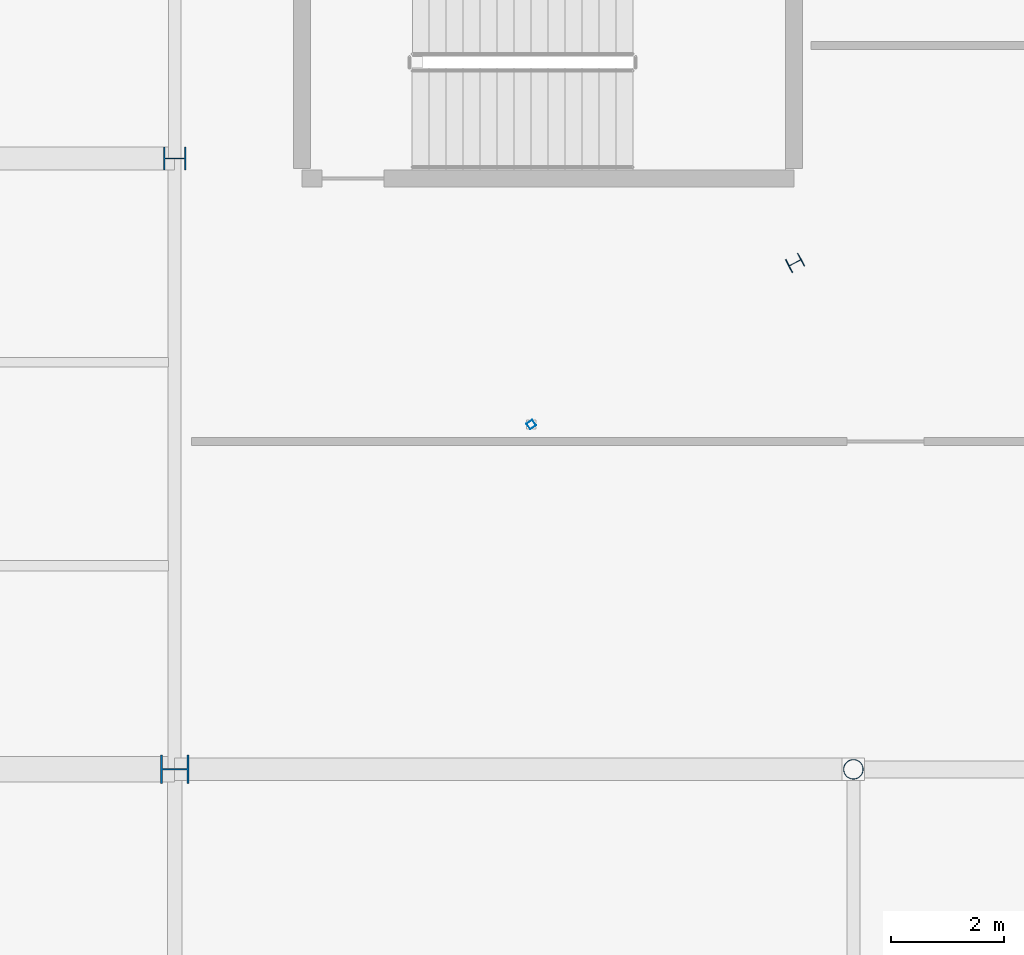
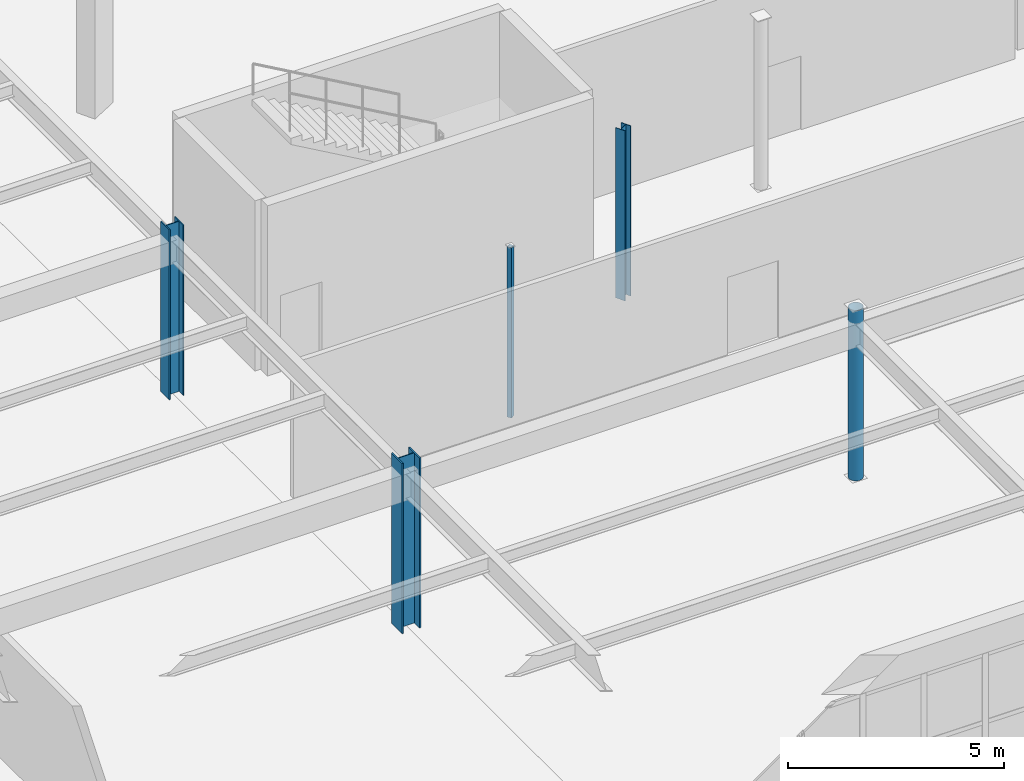
# One storey, part 30 of 199: 5 columns.
"""IFC4 building model written with IfcOpenShell, lengths in metres."""

from ifc_helpers import new_model, si_unit, direction, frame, origin, origin_2d, place, context, subcontext, project, spatial, hollow_rectangle, hollow_circle, i_section, extrude, material, material_profile, profile_set, type_object, element, save


model = new_model("IFC4")

# Units and contexts
model_context = context("Model", 3, precision=1e-05, world=origin(), true_north=direction((0.0, 1.0)))
body_context = subcontext(model_context, "Body", "Model", "MODEL_VIEW")
ifc_project = project(units=[si_unit("LENGTHUNIT", "METRE"), si_unit("AREAUNIT", "SQUARE_METRE"), si_unit("VOLUMEUNIT", "CUBIC_METRE"), si_unit("PLANEANGLEUNIT", "RADIAN"), si_unit("MASSUNIT", "GRAM", prefix="KILO")], contexts=[model_context])

# Site, building, storey
site_placement = place(None, origin())
site = spatial("IfcSite", under=ifc_project, at=site_placement, CompositionType="ELEMENT")
building_placement = place(site_placement, origin())
building = spatial("IfcBuilding", under=site, at=building_placement, Name="Tarnwether General Hospital", CompositionType="ELEMENT")
storey_placement = place(building_placement, origin())
storey = spatial("IfcBuildingStorey", under=building, at=storey_placement, Name="L00", CompositionType="ELEMENT", Elevation=0.0)

# Columns
ifc_material_1 = material(Name="Steel Grade 350 (350 MPa)", Category="steel")
ifc_material_profile_1 = material_profile(ifc_material_1, i_section(OverallWidth=0.5, OverallDepth=0.5, WebThickness=0.02197265625, FlangeThickness=0.035888671875, at=origin_2d()), Name="500WC380")
ifc_profile_set_1 = profile_set([ifc_material_profile_1], Name="Steel Grade 350 (350 MPa)")
column_type_1 = type_object("IfcColumnType", Name="COL-01", PredefinedType="COLUMN", material=ifc_profile_set_1)
column_1_placement = place(storey_placement, frame((60.0, 93.60009765625, 0.0), z_axis=(0.0, 0.0, 1.0), x_axis=(0.0, 1.0, 0.0)))
element("IfcColumn", 1, at=column_1_placement, inside=storey, type_object=column_type_1, Name="Column COLG-L00-6000_9360", PredefinedType="COLUMN", context=body_context, shape_type="SweptSolid", body=[
    extrude(i_section(OverallWidth=0.5, OverallDepth=0.5, WebThickness=0.02197265625, FlangeThickness=0.035888671875, at=origin_2d()), origin(), (0.0, 0.0, 1.0), 4.800048828125),
])
ifc_material_2 = material(Name="Steel Grade 350 (350 MPa)", Category="steel")
ifc_material_profile_2 = material_profile(ifc_material_2, i_section(OverallWidth=0.39990234375, OverallDepth=0.39990234375, WebThickness=0.02001953125, FlangeThickness=0.028076171875, at=origin_2d()), Name="400WC270")
ifc_profile_set_2 = profile_set([ifc_material_profile_2], Name="Steel Grade 350 (350 MPa)")
column_type_2 = type_object("IfcColumnType", Name="COL-02", PredefinedType="COLUMN", material=ifc_profile_set_2)
column_2_placement = place(storey_placement, frame((60.0, 104.39990234375, 0.0), z_axis=(0.0, 0.0, 1.0), x_axis=(0.0, 1.0, 0.0)))
element("IfcColumn", 2, at=column_2_placement, inside=storey, type_object=column_type_2, Name="Column COLG-L00-6000_10440", PredefinedType="COLUMN", context=body_context, shape_type="SweptSolid", body=[
    extrude(i_section(OverallWidth=0.39990234375, OverallDepth=0.39990234375, WebThickness=0.02001953125, FlangeThickness=0.028076171875, at=origin_2d()), origin(), (0.0, 0.0, 1.0), 4.800048828125),
])
ifc_material_3 = material(Name="Steel Grade C350L0 (350 MPa)", Category="steel")
ifc_material_profile_3 = material_profile(ifc_material_3, hollow_circle(Radius=0.177734375, WallThickness=0.0126953125, at=origin_2d()), Name="CHS355.6x12.7")
ifc_profile_set_3 = profile_set([ifc_material_profile_3], Name="Steel Grade C350L0 (350 MPa)")
column_type_3 = type_object("IfcColumnType", Name="COL-11", PredefinedType="COLUMN", material=ifc_profile_set_3)
column_3_placement = place(storey_placement, frame((72.0, 93.60009765625, 0.0), z_axis=(0.0, 0.0, 1.0), x_axis=(1.0, 0.0, 0.0)))
element("IfcColumn", 3, at=column_3_placement, inside=storey, type_object=column_type_3, Name="Column COLG-L00-7200_9360", PredefinedType="COLUMN", context=body_context, shape_type="SweptSolid", body=[
    extrude(hollow_circle(Radius=0.177734375, WallThickness=0.0126953125, at=origin_2d()), origin(), (0.0, 0.0, 1.0), 4.800048828125),
])
ifc_material_4 = material(Name="Steel Grade 350 (350 MPa)", Category="steel")
ifc_material_profile_4 = material_profile(ifc_material_4, i_section(OverallWidth=0.25390625, OverallDepth=0.25390625, WebThickness=0.008544921875, FlangeThickness=0.01416015625, at=origin_2d()), Name="250UC72.9")
ifc_profile_set_4 = profile_set([ifc_material_profile_4], Name="Steel Grade 350 (350 MPa)")
column_type_4 = type_object("IfcColumnType", Name="COL-24", PredefinedType="COLUMN", material=ifc_profile_set_4)
column_4_placement = place(storey_placement, frame((70.968017578125, 102.555908203125, 0.0), z_axis=(0.0, 0.0, 1.0), x_axis=(-0.469471562786, 0.882947592859, 0.0)))
element("IfcColumn", 4, at=column_4_placement, inside=storey, type_object=column_type_4, Name="Column COLG-L00-7097_10256", PredefinedType="COLUMN", context=body_context, shape_type="SweptSolid", body=[
    extrude(i_section(OverallWidth=0.25390625, OverallDepth=0.25390625, WebThickness=0.008544921875, FlangeThickness=0.01416015625, at=origin_2d()), origin(), (0.0, 0.0, 1.0), 4.800048828125),
])
ifc_material_5 = material(Name="Steel Grade C350L0 (350 MPa)", Category="steel")
ifc_material_profile_5 = material_profile(ifc_material_5, hollow_rectangle(XDim=0.125, YDim=0.125, WallThickness=0.006103515625, at=origin_2d()), Name="SHS125x125x6")
ifc_profile_set_5 = profile_set([ifc_material_profile_5], Name="Steel Grade C350L0 (350 MPa)")
column_type_5 = type_object("IfcColumnType", Name="COL-34", PredefinedType="COLUMN", material=ifc_profile_set_5)
column_5_placement = place(storey_placement, frame((66.303955078125, 99.697998046875, 0.0), z_axis=(0.0, 0.0, 1.0), x_axis=(-0.573576436351, 0.819152044289, 0.0)))
element("IfcColumn", 5, at=column_5_placement, inside=storey, type_object=column_type_5, Name="Column COLG-L00-6630_9970", PredefinedType="COLUMN", context=body_context, shape_type="SweptSolid", body=[
    extrude(hollow_rectangle(XDim=0.125, YDim=0.125, WallThickness=0.006103515625, at=origin_2d()), origin(), (0.0, 0.0, 1.0), 4.800048828125),
])

save(model, "model.ifc")
